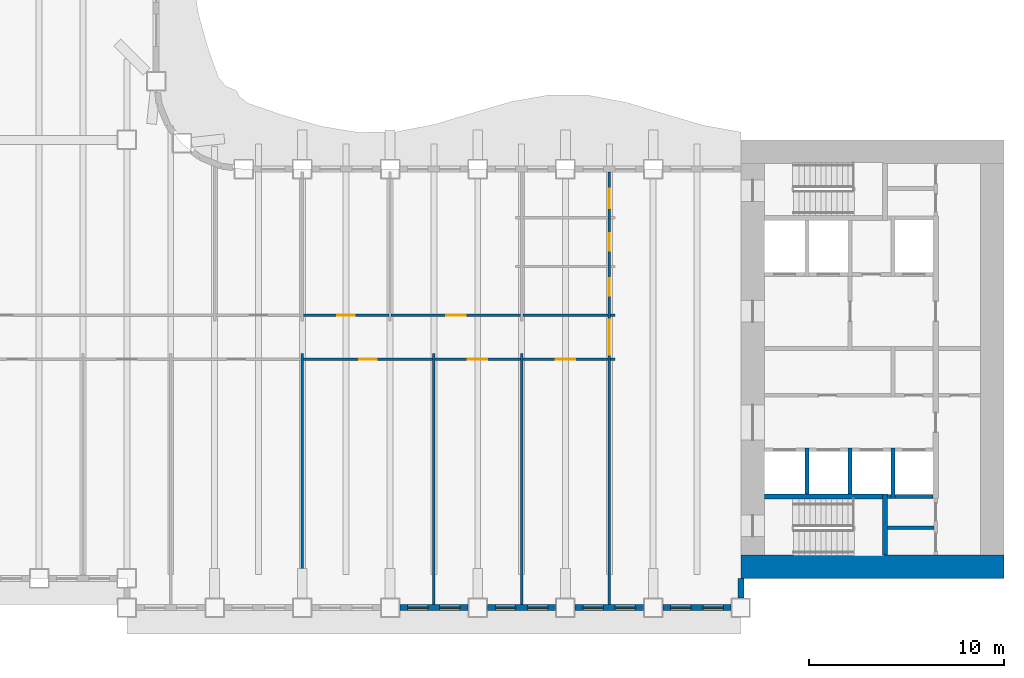
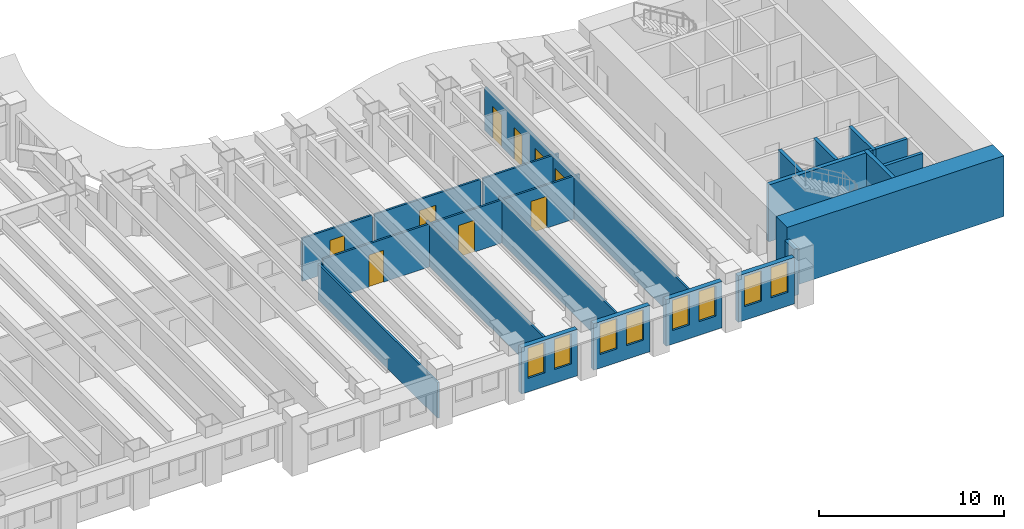
# One storey, part 5 of 16: 26 walls, 9 doors, 8 windows, 17 openings.
"""IFC4 building model written with IfcOpenShell, lengths in metres."""

from ifc_helpers import new_model, si_unit, direction, frame, frame_2d, origin, place, context, subcontext, project, spatial, rectangle, extrude, material, layer, layer_set, type_object, element, fill, save


model = new_model("IFC4")

# Units and contexts
model_context = context("Model", 3, precision=1e-05, world=origin(), true_north=direction((0.0, 1.0)))
body_context = subcontext(model_context, "Body", "Model", "MODEL_VIEW")
ifc_project = project(units=[si_unit("LENGTHUNIT", "METRE"), si_unit("AREAUNIT", "SQUARE_METRE"), si_unit("VOLUMEUNIT", "CUBIC_METRE"), si_unit("PLANEANGLEUNIT", "RADIAN"), si_unit("MASSUNIT", "GRAM", prefix="KILO")], contexts=[model_context])

# Site, building, storey
site_placement = place(None, origin())
site = spatial("IfcSite", under=ifc_project, at=site_placement, CompositionType="ELEMENT")
building_placement = place(site_placement, origin())
building = spatial("IfcBuilding", under=site, at=building_placement, Name="Sennacour Bend Tower", CompositionType="ELEMENT")
storey_placement = place(building_placement, frame((0.0, 0.0, 127.0)))
storey = spatial("IfcBuildingStorey", under=building, at=storey_placement, Name="L29", CompositionType="ELEMENT", Elevation=127.0)

# Walls
ifc_material_1 = material(Name="Concrete C80/95", Category="concrete")
ifc_layer_1 = layer(ifc_material_1, 1.199951171875, Name="Concrete C80/95", Category="concrete")
ifc_layer_set_1 = layer_set([ifc_layer_1], Name="Concrete C80/95")
wall_type_1 = type_object("IfcWallType", Name="Core wall 1200 C80/95", PredefinedType="SHEAR", material=ifc_layer_set_1)
wall_1_placement = place(storey_placement, frame((67.5, 0.60009765625, -0.14990234375), z_axis=(0.0, 0.0, 1.0), x_axis=(-1.0, 0.0, 0.0)))
element("IfcWall", 1, at=wall_1_placement, inside=storey, type_object=wall_type_1, Name="Core A wall L29 S", PredefinedType="SHEAR", context=body_context, shape_type="SweptSolid", body=[
    extrude(rectangle(XDim=13.5, YDim=1.199951171875, at=frame_2d((6.75, 0.0))), origin(), (0.0, 0.0, 1.0), 4.0),
])
ifc_material_2 = material(Name="Plasterboard partition on steel studs", Category="steel")
ifc_layer_2 = layer(ifc_material_2, 0.1201171875, Name="Plasterboard partition on steel studs", Category="steel")
ifc_layer_set_2 = layer_set([ifc_layer_2], Name="Plasterboard partition on steel studs")
wall_type_2 = type_object("IfcWallType", Name="Partition 120", PredefinedType="PARTITIONING", material=ifc_layer_set_2)
wall_2_placement = place(storey_placement, frame((31.5, -1.35009765625, 0.0), z_axis=(0.0, 0.0, 1.0), x_axis=(0.0, 1.0, 0.0)))
element("IfcWall", 2, at=wall_2_placement, inside=storey, type_object=wall_type_2, Name="P-L29-W027a", PredefinedType="PARTITIONING", context=body_context, shape_type="SweptSolid", body=[
    extrude(rectangle(XDim=12.900146484375, YDim=0.1201171875, at=frame_2d((6.4501953125, 0.0))), origin(), (0.0, 0.0, 1.0), 2.35009765625),
])
for number, where, z_axis, x_axis, name in (
    (3, (38.25, -1.35009765625, 0.0), (0.0, 0.0, 1.0), (0.0, 1.0, 0.0), "P-L29-W030a"),
    (4, (42.75, -1.35009765625, 0.0), (0.0, 0.0, 1.0), (0.0, 1.0, 0.0), "P-L29-W031a"),
):
    element("IfcWall", number, at=place(storey_placement, frame(where, z_axis=z_axis, x_axis=x_axis)), inside=storey, type_object=wall_type_2, Name=name, PredefinedType="PARTITIONING", context=body_context, shape_type="SweptSolid", body=[
        extrude(rectangle(XDim=12.900146484375, YDim=0.1201171875, at=frame_2d((6.4501953125, 0.0))), origin(), (0.0, 0.0, 1.0), 2.837890625),
    ])

# Wall, opening, door
wall_3_placement = place(storey_placement, frame((38.31005859375, 11.25, 0.0), z_axis=(0.0, 0.0, 1.0), x_axis=(1.0, 0.0, 0.0)))
wall_3 = element("IfcWall", 5, at=wall_3_placement, inside=storey, type_object=wall_type_2, Name="P-L29-W058af", PredefinedType="PARTITIONING", context=body_context, shape_type="SweptSolid", body=[
    extrude(rectangle(XDim=4.3798828125, YDim=0.1201171875, at=frame_2d((2.18994140625, 0.0))), origin(), (0.0, 0.0, 1.0), 2.837890625),
])
opening_1_placement = place(wall_3_placement, frame((1.68994140625, 0.0, 0.0)))
opening_1 = element("IfcOpeningElement", 6, at=opening_1_placement, cuts=wall_3, Name="Opening MD2", PredefinedType="OPENING", context=body_context, shape_type="SweptSolid", body=[
    extrude(rectangle(XDim=1.0, YDim=2.10009765625, at=frame_2d((0.5, 1.050048828125))), frame((0.0, 0.070068359375, 0.0), z_axis=(0.0, -1.0, 0.0), x_axis=(1.0, 0.0, 0.0)), (0.0, 0.0, 1.0), 0.14013671875),
])
ifc_material_3 = material(Name="Timber", Category="wood")
door_type_1 = type_object("IfcDoorType", Name="DR-MEETING-1000", OperationType="NOTDEFINED", PredefinedType="DOOR", material=ifc_material_3)
door_1_placement = place(opening_1_placement, origin())
door_1 = element("IfcDoor", 7, at=door_1_placement, inside=storey, type_object=door_type_1, Name="Door", OperationType="SINGLE_SWING_LEFT", OverallHeight=2.10009765625, OverallWidth=1.0, PredefinedType="DOOR", context=body_context, shape_type="SweptSolid", body=[
    extrude(rectangle(XDim=1.0, YDim=2.10009765625, at=frame_2d((0.5, 1.050048828125))), frame((0.0, 0.02490234375, 0.0), z_axis=(0.0, -1.0, 0.0), x_axis=(1.0, 0.0, 0.0)), (0.0, 0.0, 1.0), 0.050048828125),
])
fill(opening_1, door_1)

wall_4_placement = place(storey_placement, frame((42.81005859375, 11.25, 0.0), z_axis=(0.0, 0.0, 1.0), x_axis=(1.0, 0.0, 0.0)))
wall_4 = element("IfcWall", 8, at=wall_4_placement, inside=storey, type_object=wall_type_2, Name="P-L29-W058ag", PredefinedType="PARTITIONING", context=body_context, shape_type="SweptSolid", body=[
    extrude(rectangle(XDim=4.3798828125, YDim=0.1201171875, at=frame_2d((2.18994140625, 0.0))), origin(), (0.0, 0.0, 1.0), 2.837890625),
])
opening_2_placement = place(wall_4_placement, frame((1.68994140625, 0.0, 0.0)))
opening_2 = element("IfcOpeningElement", 9, at=opening_2_placement, cuts=wall_4, Name="Opening OD2", PredefinedType="OPENING", context=body_context, shape_type="SweptSolid", body=[
    extrude(rectangle(XDim=1.0, YDim=2.10009765625, at=frame_2d((0.5, 1.050048828125))), frame((0.0, 0.070068359375, 0.0), z_axis=(0.0, -1.0, 0.0), x_axis=(1.0, 0.0, 0.0)), (0.0, 0.0, 1.0), 0.14013671875),
])
door_type_2 = type_object("IfcDoorType", Name="DR-OFFICE-1000", OperationType="NOTDEFINED", PredefinedType="DOOR", material=ifc_material_3)
door_2_placement = place(opening_2_placement, origin())
door_2 = element("IfcDoor", 10, at=door_2_placement, inside=storey, type_object=door_type_2, Name="Door", OperationType="SINGLE_SWING_LEFT", OverallHeight=2.10009765625, OverallWidth=1.0, PredefinedType="DOOR", context=body_context, shape_type="SweptSolid", body=[
    extrude(rectangle(XDim=1.0, YDim=2.10009765625, at=frame_2d((0.5, 1.050048828125))), frame((0.0, 0.02490234375, 0.0), z_axis=(0.0, -1.0, 0.0), x_axis=(1.0, 0.0, 0.0)), (0.0, 0.0, 1.0), 0.050048828125),
])
fill(opening_2, door_2)

# Wall
wall_5_placement = place(storey_placement, frame((47.31005859375, 11.25, 0.0), z_axis=(0.0, 0.0, 1.0), x_axis=(1.0, 0.0, 0.0)))
element("IfcWall", 11, at=wall_5_placement, inside=storey, type_object=wall_type_2, Name="P-L29-W058ah", PredefinedType="PARTITIONING", context=body_context, shape_type="SweptSolid", body=[
    extrude(rectangle(XDim=0.239990234375, YDim=0.1201171875, at=frame_2d((0.1201171875, 0.0))), origin(), (0.0, 0.0, 1.0), 2.837890625),
])

# Wall, opening, door
wall_6_placement = place(storey_placement, frame((36.06005859375, 13.5, 0.0), z_axis=(0.0, 0.0, 1.0), x_axis=(1.0, 0.0, 0.0)))
wall_6 = element("IfcWall", 12, at=wall_6_placement, inside=storey, type_object=wall_type_2, Name="P-L29-W060af", PredefinedType="PARTITIONING", context=body_context, shape_type="SweptSolid", body=[
    extrude(rectangle(XDim=6.6298828125, YDim=0.1201171875, at=frame_2d((3.31494140625, 0.0))), origin(), (0.0, 0.0, 1.0), 2.837890625),
])
opening_3_placement = place(wall_6_placement, frame((2.81494140625, 0.0, 0.0)))
opening_3 = element("IfcOpeningElement", 13, at=opening_3_placement, cuts=wall_6, Name="Opening OD2", PredefinedType="OPENING", context=body_context, shape_type="SweptSolid", body=[
    extrude(rectangle(XDim=1.0, YDim=2.10009765625, at=frame_2d((0.5, 1.050048828125))), frame((0.0, 0.070068359375, 0.0), z_axis=(0.0, -1.0, 0.0), x_axis=(1.0, 0.0, 0.0)), (0.0, 0.0, 1.0), 0.14013671875),
])
door_3_placement = place(opening_3_placement, origin())
door_3 = element("IfcDoor", 14, at=door_3_placement, inside=storey, type_object=door_type_2, Name="Door", OperationType="SINGLE_SWING_LEFT", OverallHeight=2.10009765625, OverallWidth=1.0, PredefinedType="DOOR", context=body_context, shape_type="SweptSolid", body=[
    extrude(rectangle(XDim=1.0, YDim=2.10009765625, at=frame_2d((0.5, 1.050048828125))), frame((0.0, 0.02490234375, 0.0), z_axis=(0.0, -1.0, 0.0), x_axis=(1.0, 0.0, 0.0)), (0.0, 0.0, 1.0), 0.050048828125),
])
fill(opening_3, door_3)

# Walls
wall_7_placement = place(storey_placement, frame((42.81005859375, 13.5, 0.0), z_axis=(0.0, 0.0, 1.0), x_axis=(1.0, 0.0, 0.0)))
element("IfcWall", 15, at=wall_7_placement, inside=storey, type_object=wall_type_2, Name="P-L29-W060ag", PredefinedType="PARTITIONING", context=body_context, shape_type="SweptSolid", body=[
    extrude(rectangle(XDim=4.3798828125, YDim=0.1201171875, at=frame_2d((2.18994140625, 0.0))), origin(), (0.0, 0.0, 1.0), 2.837890625),
])
wall_8_placement = place(storey_placement, frame((47.31005859375, 13.5, 0.0), z_axis=(0.0, 0.0, 1.0), x_axis=(1.0, 0.0, 0.0)))
element("IfcWall", 16, at=wall_8_placement, inside=storey, type_object=wall_type_2, Name="P-L29-W060ah", PredefinedType="PARTITIONING", context=body_context, shape_type="SweptSolid", body=[
    extrude(rectangle(XDim=0.239990234375, YDim=0.1201171875, at=frame_2d((0.1201171875, 0.0))), origin(), (0.0, 0.0, 1.0), 2.837890625),
])

# Wall, openings, doors
ifc_layer_3 = layer(ifc_material_2, 0.1201171875, Name="Plasterboard partition on steel studs", Category="steel")
ifc_layer_set_3 = layer_set([ifc_layer_3], Name="Plasterboard partition on steel studs")
wall_type_3 = type_object("IfcWallType", Name="Partition 120 EI 30", PredefinedType="PARTITIONING", material=ifc_layer_set_3)
wall_9_placement = place(storey_placement, frame((47.25, -1.35009765625, 0.0), z_axis=(0.0, 0.0, 1.0), x_axis=(0.0, 1.0, 0.0)))
wall_9 = element("IfcWall", 17, at=wall_9_placement, inside=storey, type_object=wall_type_3, Name="P-L29-W033a", PredefinedType="PARTITIONING", context=body_context, shape_type="SweptSolid", body=[
    extrude(rectangle(XDim=22.2001953125, YDim=0.1201171875, at=frame_2d((11.10009765625, 0.0))), origin(), (0.0, 0.0, 1.0), 2.837890625),
])
opening_4_placement = place(wall_9_placement, frame((12.8251953125, 0.0, 0.0)))
opening_4 = element("IfcOpeningElement", 18, at=opening_4_placement, cuts=wall_9, Name="Opening KD3", PredefinedType="OPENING", context=body_context, shape_type="SweptSolid", body=[
    extrude(rectangle(XDim=1.800048828125, YDim=2.10009765625, at=frame_2d((0.89990234375, 1.050048828125))), frame((0.0, 0.070068359375, 0.0), z_axis=(0.0, -1.0, 0.0), x_axis=(1.0, 0.0, 0.0)), (0.0, 0.0, 1.0), 0.14013671875),
])
opening_5_placement = place(wall_9_placement, frame((15.85009765625, 0.0, 0.0)))
opening_5 = element("IfcOpeningElement", 19, at=opening_5_placement, cuts=wall_9, Name="Opening WD", PredefinedType="OPENING", context=body_context, shape_type="SweptSolid", body=[
    extrude(rectangle(XDim=0.89990234375, YDim=2.10009765625, at=frame_2d((0.449951171875, 1.050048828125))), frame((0.0, 0.070068359375, 0.0), z_axis=(0.0, -1.0, 0.0), x_axis=(1.0, 0.0, 0.0)), (0.0, 0.0, 1.0), 0.14013671875),
])
opening_6_placement = place(wall_9_placement, frame((18.150146484375, 0.0, 0.0)))
opening_6 = element("IfcOpeningElement", 20, at=opening_6_placement, cuts=wall_9, Name="Opening WD", PredefinedType="OPENING", context=body_context, shape_type="SweptSolid", body=[
    extrude(rectangle(XDim=0.89990234375, YDim=2.10009765625, at=frame_2d((0.449951171875, 1.050048828125))), frame((0.0, 0.070068359375, 0.0), z_axis=(0.0, -1.0, 0.0), x_axis=(1.0, 0.0, 0.0)), (0.0, 0.0, 1.0), 0.14013671875),
])
opening_7_placement = place(wall_9_placement, frame((20.35009765625, 0.0, 0.0)))
opening_7 = element("IfcOpeningElement", 21, at=opening_7_placement, cuts=wall_9, Name="Opening AD", PredefinedType="OPENING", context=body_context, shape_type="SweptSolid", body=[
    extrude(rectangle(XDim=1.0, YDim=2.10009765625, at=frame_2d((0.5, 1.050048828125))), frame((0.0, 0.070068359375, 0.0), z_axis=(0.0, -1.0, 0.0), x_axis=(1.0, 0.0, 0.0)), (0.0, 0.0, 1.0), 0.14013671875),
])
door_type_3 = type_object("IfcDoorType", Name="DR-ACC-WC-1000", OperationType="NOTDEFINED", PredefinedType="DOOR", material=ifc_material_3)
door_4_placement = place(opening_7_placement, origin())
door_4 = element("IfcDoor", 22, at=door_4_placement, inside=storey, type_object=door_type_3, Name="Door", OperationType="SINGLE_SWING_RIGHT", OverallHeight=2.10009765625, OverallWidth=1.0, PredefinedType="DOOR", context=body_context, shape_type="SweptSolid", body=[
    extrude(rectangle(XDim=1.0, YDim=2.10009765625, at=frame_2d((0.5, 1.050048828125))), frame((0.0, 0.02490234375, 0.0), z_axis=(0.0, -1.0, 0.0), x_axis=(1.0, 0.0, 0.0)), (0.0, 0.0, 1.0), 0.050048828125),
])
fill(opening_7, door_4)
ifc_material_4 = material(Name="Painted steel", Category="steel")
door_type_4 = type_object("IfcDoorType", Name="DR-CORRIDOR-1800", OperationType="NOTDEFINED", PredefinedType="DOOR", material=ifc_material_4)
door_5_placement = place(opening_4_placement, origin())
door_5 = element("IfcDoor", 23, at=door_5_placement, inside=storey, type_object=door_type_4, Name="Door", OperationType="DOUBLE_DOOR_SINGLE_SWING", OverallHeight=2.10009765625, OverallWidth=1.800048828125, PredefinedType="DOOR", context=body_context, shape_type="SweptSolid", body=[
    extrude(rectangle(XDim=1.800048828125, YDim=2.10009765625, at=frame_2d((0.89990234375, 1.050048828125))), frame((0.0, 0.02490234375, 0.0), z_axis=(0.0, -1.0, 0.0), x_axis=(1.0, 0.0, 0.0)), (0.0, 0.0, 1.0), 0.050048828125),
])
fill(opening_4, door_5)
door_type_5 = type_object("IfcDoorType", Name="DR-WC-900", OperationType="NOTDEFINED", PredefinedType="DOOR", material=ifc_material_3)
door_6_placement = place(opening_5_placement, origin())
door_6 = element("IfcDoor", 24, at=door_6_placement, inside=storey, type_object=door_type_5, Name="Door", OperationType="SINGLE_SWING_RIGHT", OverallHeight=2.10009765625, OverallWidth=0.89990234375, PredefinedType="DOOR", context=body_context, shape_type="SweptSolid", body=[
    extrude(rectangle(XDim=0.89990234375, YDim=2.10009765625, at=frame_2d((0.449951171875, 1.050048828125))), frame((0.0, 0.02490234375, 0.0), z_axis=(0.0, -1.0, 0.0), x_axis=(1.0, 0.0, 0.0)), (0.0, 0.0, 1.0), 0.050048828125),
])
fill(opening_5, door_6)
door_7_placement = place(opening_6_placement, origin())
door_7 = element("IfcDoor", 25, at=door_7_placement, inside=storey, type_object=door_type_5, Name="Door", OperationType="SINGLE_SWING_RIGHT", OverallHeight=2.10009765625, OverallWidth=0.89990234375, PredefinedType="DOOR", context=body_context, shape_type="SweptSolid", body=[
    extrude(rectangle(XDim=0.89990234375, YDim=2.10009765625, at=frame_2d((0.449951171875, 1.050048828125))), frame((0.0, 0.02490234375, 0.0), z_axis=(0.0, -1.0, 0.0), x_axis=(1.0, 0.0, 0.0)), (0.0, 0.0, 1.0), 0.050048828125),
])
fill(opening_6, door_7)

# Wall, opening, door
ifc_layer_4 = layer(ifc_material_2, 0.1201171875, Name="Plasterboard partition on steel studs", Category="steel")
ifc_layer_set_4 = layer_set([ifc_layer_4], Name="Plasterboard partition on steel studs")
wall_type_4 = type_object("IfcWallType", Name="Partition 120 EI 60", PredefinedType="PARTITIONING", material=ifc_layer_set_4)
wall_10_placement = place(storey_placement, frame((31.56005859375, 11.25, 0.0), z_axis=(0.0, 0.0, 1.0), x_axis=(1.0, 0.0, 0.0)))
wall_10 = element("IfcWall", 26, at=wall_10_placement, inside=storey, type_object=wall_type_4, Name="P-L29-W058ae", PredefinedType="PARTITIONING", context=body_context, shape_type="SweptSolid", body=[
    extrude(rectangle(XDim=6.6298828125, YDim=0.1201171875, at=frame_2d((3.31494140625, 0.0))), origin(), (0.0, 0.0, 1.0), 2.837890625),
])
opening_8_placement = place(wall_10_placement, frame((2.864990234375, 0.0, 0.0)))
opening_8 = element("IfcOpeningElement", 27, at=opening_8_placement, cuts=wall_10, Name="Opening SV", PredefinedType="OPENING", context=body_context, shape_type="SweptSolid", body=[
    extrude(rectangle(XDim=0.89990234375, YDim=2.10009765625, at=frame_2d((0.449951171875, 1.050048828125))), frame((0.0, 0.070068359375, 0.0), z_axis=(0.0, -1.0, 0.0), x_axis=(1.0, 0.0, 0.0)), (0.0, 0.0, 1.0), 0.14013671875),
])
door_type_6 = type_object("IfcDoorType", Name="DR-SERVICE-900", OperationType="NOTDEFINED", PredefinedType="DOOR", material=ifc_material_4)
door_8_placement = place(opening_8_placement, origin())
door_8 = element("IfcDoor", 28, at=door_8_placement, inside=storey, type_object=door_type_6, Name="Door", OperationType="SINGLE_SWING_LEFT", OverallHeight=2.10009765625, OverallWidth=0.89990234375, PredefinedType="DOOR", context=body_context, shape_type="SweptSolid", body=[
    extrude(rectangle(XDim=0.89990234375, YDim=2.10009765625, at=frame_2d((0.449951171875, 1.050048828125))), frame((0.0, 0.02490234375, 0.0), z_axis=(0.0, -1.0, 0.0), x_axis=(1.0, 0.0, 0.0)), (0.0, 0.0, 1.0), 0.050048828125),
])
fill(opening_8, door_8)

wall_11_placement = place(storey_placement, frame((31.56005859375, 13.5, 0.0), z_axis=(0.0, 0.0, 1.0), x_axis=(1.0, 0.0, 0.0)))
wall_11 = element("IfcWall", 29, at=wall_11_placement, inside=storey, type_object=wall_type_4, Name="P-L29-W060ae", PredefinedType="PARTITIONING", context=body_context, shape_type="SweptSolid", body=[
    extrude(rectangle(XDim=4.3798828125, YDim=0.1201171875, at=frame_2d((2.18994140625, 0.0))), origin(), (0.0, 0.0, 1.0), 2.837890625),
])
opening_9_placement = place(wall_11_placement, frame((1.739990234375, 0.0, 0.0)))
opening_9 = element("IfcOpeningElement", 30, at=opening_9_placement, cuts=wall_11, Name="Opening SV", PredefinedType="OPENING", context=body_context, shape_type="SweptSolid", body=[
    extrude(rectangle(XDim=0.89990234375, YDim=2.10009765625, at=frame_2d((0.449951171875, 1.050048828125))), frame((0.0, 0.070068359375, 0.0), z_axis=(0.0, -1.0, 0.0), x_axis=(1.0, 0.0, 0.0)), (0.0, 0.0, 1.0), 0.14013671875),
])
door_9_placement = place(opening_9_placement, origin())
door_9 = element("IfcDoor", 31, at=door_9_placement, inside=storey, type_object=door_type_6, Name="Door", OperationType="SINGLE_SWING_LEFT", OverallHeight=2.10009765625, OverallWidth=0.89990234375, PredefinedType="DOOR", context=body_context, shape_type="SweptSolid", body=[
    extrude(rectangle(XDim=0.89990234375, YDim=2.10009765625, at=frame_2d((0.449951171875, 1.050048828125))), frame((0.0, 0.02490234375, 0.0), z_axis=(0.0, -1.0, 0.0), x_axis=(1.0, 0.0, 0.0)), (0.0, 0.0, 1.0), 0.050048828125),
])
fill(opening_9, door_9)

# Wall
ifc_material_5 = material(Name="Fire-rated plasterboard partition on steel studs", Category="steel")
ifc_layer_5 = layer(ifc_material_5, 0.199951171875, Name="Fire-rated plasterboard partition on steel studs", Category="steel")
ifc_layer_set_5 = layer_set([ifc_layer_5], Name="Fire-rated plasterboard partition on steel studs")
wall_type_5 = type_object("IfcWallType", Name="Rated partition 200", PredefinedType="PARTITIONING", material=ifc_layer_set_5)
wall_12_placement = place(storey_placement, frame((61.52490234375, 2.60009765625, 0.0), z_axis=(0.0, 0.0, 1.0), x_axis=(1.0, 0.0, 0.0)))
element("IfcWall", 32, at=wall_12_placement, inside=storey, type_object=wall_type_5, Name="P-L29-W050", PredefinedType="PARTITIONING", context=body_context, shape_type="SweptSolid", body=[
    extrude(rectangle(XDim=2.375, YDim=0.199951171875, at=frame_2d((1.1875, 0.0))), origin(), (0.0, 0.0, 1.0), 3.75),
])

# Wall, openings, windows
ifc_material_6 = material(Name="Warm limestone cladding", Category="masonry")
ifc_layer_6 = layer(ifc_material_6, 0.050048828125, Name="Warm limestone cladding", Category="masonry")
ifc_material_7 = material(Name="Precast concrete C40/50", Category="concrete")
ifc_layer_7 = layer(ifc_material_7, 0.25, Name="Precast concrete C40/50", Category="concrete")
ifc_layer_set_6 = layer_set([ifc_layer_6, ifc_layer_7], Name="Precast concrete C40/50 with limestone cladding")
wall_type_6 = type_object("IfcWallType", Name="STONE-CLAD PRECAST SPANDREL 300", PredefinedType="STANDARD", material=ifc_layer_set_6)
wall_13_placement = place(storey_placement, frame((36.5, -1.5, 0.0), z_axis=(0.0, 0.0, 1.0), x_axis=(1.0, 0.0, 0.0)))
wall_13 = element("IfcWall", 33, at=wall_13_placement, inside=storey, type_object=wall_type_6, Name="Stone spandrel and pier wall L29 00.03", PredefinedType="STANDARD", context=body_context, shape_type="SweptSolid", body=[
    extrude(rectangle(XDim=3.5, YDim=0.300048828125, at=frame_2d((1.75, 0.0))), origin(), (0.0, 0.0, 1.0), 3.053955078125),
])
opening_10_placement = place(wall_13_placement, frame((0.39990234375, 0.0, 0.89990234375)))
opening_10 = element("IfcOpeningElement", 34, at=opening_10_placement, cuts=wall_13, Name="Opening W13", PredefinedType="OPENING", context=body_context, shape_type="SweptSolid", body=[
    extrude(rectangle(XDim=1.050048828125, YDim=2.0, at=frame_2d((0.52490234375, 1.0))), frame((0.0, 0.16015625, 0.0), z_axis=(0.0, -1.0, 0.0), x_axis=(1.0, 0.0, 0.0)), (0.0, 0.0, 1.0), 0.320068359375),
])
opening_11_placement = place(wall_13_placement, frame((2.050048828125, 0.0, 0.89990234375)))
opening_11 = element("IfcOpeningElement", 35, at=opening_11_placement, cuts=wall_13, Name="Opening W13", PredefinedType="OPENING", context=body_context, shape_type="SweptSolid", body=[
    extrude(rectangle(XDim=1.050048828125, YDim=2.0, at=frame_2d((0.52490234375, 1.0))), frame((0.0, 0.16015625, 0.0), z_axis=(0.0, -1.0, 0.0), x_axis=(1.0, 0.0, 0.0)), (0.0, 0.0, 1.0), 0.320068359375),
])
ifc_material_8 = material(Name="Clear low-emissivity glass", Category="glass")
window_type = type_object("IfcWindowType", Name="WIN-RIBBON-1050x2000", PartitioningType="SINGLE_PANEL", PredefinedType="WINDOW", material=ifc_material_8)
window_1_placement = place(opening_10_placement, origin())
window_1 = element("IfcWindow", 36, at=window_1_placement, inside=storey, type_object=window_type, Name="Ribbon window L29 00.03.0", OverallHeight=2.0, OverallWidth=1.050048828125, PartitioningType="SINGLE_PANEL", PredefinedType="WINDOW", context=body_context, shape_type="SweptSolid", body=[
    extrude(rectangle(XDim=1.050048828125, YDim=2.0, at=frame_2d((0.52490234375, 1.0))), frame((0.0, 0.030029296875, 0.0), z_axis=(0.0, -1.0, 0.0), x_axis=(1.0, 0.0, 0.0)), (0.0, 0.0, 1.0), 0.06005859375),
])
fill(opening_10, window_1)
window_2_placement = place(opening_11_placement, origin())
window_2 = element("IfcWindow", 37, at=window_2_placement, inside=storey, type_object=window_type, Name="Ribbon window L29 00.03.1", OverallHeight=2.0, OverallWidth=1.050048828125, PartitioningType="SINGLE_PANEL", PredefinedType="WINDOW", context=body_context, shape_type="SweptSolid", body=[
    extrude(rectangle(XDim=1.050048828125, YDim=2.0, at=frame_2d((0.52490234375, 1.0))), frame((0.0, 0.030029296875, 0.0), z_axis=(0.0, -1.0, 0.0), x_axis=(1.0, 0.0, 0.0)), (0.0, 0.0, 1.0), 0.06005859375),
])
fill(opening_11, window_2)

wall_14_placement = place(storey_placement, frame((41.0, -1.5, 0.0), z_axis=(0.0, 0.0, 1.0), x_axis=(1.0, 0.0, 0.0)))
wall_14 = element("IfcWall", 38, at=wall_14_placement, inside=storey, type_object=wall_type_6, Name="Stone spandrel and pier wall L29 00.04", PredefinedType="STANDARD", context=body_context, shape_type="SweptSolid", body=[
    extrude(rectangle(XDim=3.5, YDim=0.300048828125, at=frame_2d((1.75, 0.0))), origin(), (0.0, 0.0, 1.0), 3.053955078125),
])
opening_12_placement = place(wall_14_placement, frame((0.39990234375, 0.0, 0.89990234375)))
opening_12 = element("IfcOpeningElement", 39, at=opening_12_placement, cuts=wall_14, Name="Opening W13", PredefinedType="OPENING", context=body_context, shape_type="SweptSolid", body=[
    extrude(rectangle(XDim=1.050048828125, YDim=2.0, at=frame_2d((0.52490234375, 1.0))), frame((0.0, 0.16015625, 0.0), z_axis=(0.0, -1.0, 0.0), x_axis=(1.0, 0.0, 0.0)), (0.0, 0.0, 1.0), 0.320068359375),
])
opening_13_placement = place(wall_14_placement, frame((2.050048828125, 0.0, 0.89990234375)))
opening_13 = element("IfcOpeningElement", 40, at=opening_13_placement, cuts=wall_14, Name="Opening W13", PredefinedType="OPENING", context=body_context, shape_type="SweptSolid", body=[
    extrude(rectangle(XDim=1.050048828125, YDim=2.0, at=frame_2d((0.52490234375, 1.0))), frame((0.0, 0.16015625, 0.0), z_axis=(0.0, -1.0, 0.0), x_axis=(1.0, 0.0, 0.0)), (0.0, 0.0, 1.0), 0.320068359375),
])
window_3_placement = place(opening_12_placement, origin())
window_3 = element("IfcWindow", 41, at=window_3_placement, inside=storey, type_object=window_type, Name="Ribbon window L29 00.04.0", OverallHeight=2.0, OverallWidth=1.050048828125, PartitioningType="SINGLE_PANEL", PredefinedType="WINDOW", context=body_context, shape_type="SweptSolid", body=[
    extrude(rectangle(XDim=1.050048828125, YDim=2.0, at=frame_2d((0.52490234375, 1.0))), frame((0.0, 0.030029296875, 0.0), z_axis=(0.0, -1.0, 0.0), x_axis=(1.0, 0.0, 0.0)), (0.0, 0.0, 1.0), 0.06005859375),
])
fill(opening_12, window_3)
window_4_placement = place(opening_13_placement, origin())
window_4 = element("IfcWindow", 42, at=window_4_placement, inside=storey, type_object=window_type, Name="Ribbon window L29 00.04.1", OverallHeight=2.0, OverallWidth=1.050048828125, PartitioningType="SINGLE_PANEL", PredefinedType="WINDOW", context=body_context, shape_type="SweptSolid", body=[
    extrude(rectangle(XDim=1.050048828125, YDim=2.0, at=frame_2d((0.52490234375, 1.0))), frame((0.0, 0.030029296875, 0.0), z_axis=(0.0, -1.0, 0.0), x_axis=(1.0, 0.0, 0.0)), (0.0, 0.0, 1.0), 0.06005859375),
])
fill(opening_13, window_4)

wall_15_placement = place(storey_placement, frame((45.5, -1.5, 0.0), z_axis=(0.0, 0.0, 1.0), x_axis=(1.0, 0.0, 0.0)))
wall_15 = element("IfcWall", 43, at=wall_15_placement, inside=storey, type_object=wall_type_6, Name="Stone spandrel and pier wall L29 00.05", PredefinedType="STANDARD", context=body_context, shape_type="SweptSolid", body=[
    extrude(rectangle(XDim=3.5, YDim=0.300048828125, at=frame_2d((1.75, 0.0))), origin(), (0.0, 0.0, 1.0), 3.053955078125),
])
opening_14_placement = place(wall_15_placement, frame((0.39990234375, 0.0, 0.89990234375)))
opening_14 = element("IfcOpeningElement", 44, at=opening_14_placement, cuts=wall_15, Name="Opening W13", PredefinedType="OPENING", context=body_context, shape_type="SweptSolid", body=[
    extrude(rectangle(XDim=1.050048828125, YDim=2.0, at=frame_2d((0.52490234375, 1.0))), frame((0.0, 0.16015625, 0.0), z_axis=(0.0, -1.0, 0.0), x_axis=(1.0, 0.0, 0.0)), (0.0, 0.0, 1.0), 0.320068359375),
])
opening_15_placement = place(wall_15_placement, frame((2.050048828125, 0.0, 0.89990234375)))
opening_15 = element("IfcOpeningElement", 45, at=opening_15_placement, cuts=wall_15, Name="Opening W13", PredefinedType="OPENING", context=body_context, shape_type="SweptSolid", body=[
    extrude(rectangle(XDim=1.050048828125, YDim=2.0, at=frame_2d((0.52490234375, 1.0))), frame((0.0, 0.16015625, 0.0), z_axis=(0.0, -1.0, 0.0), x_axis=(1.0, 0.0, 0.0)), (0.0, 0.0, 1.0), 0.320068359375),
])
window_5_placement = place(opening_14_placement, origin())
window_5 = element("IfcWindow", 46, at=window_5_placement, inside=storey, type_object=window_type, Name="Ribbon window L29 00.05.0", OverallHeight=2.0, OverallWidth=1.050048828125, PartitioningType="SINGLE_PANEL", PredefinedType="WINDOW", context=body_context, shape_type="SweptSolid", body=[
    extrude(rectangle(XDim=1.050048828125, YDim=2.0, at=frame_2d((0.52490234375, 1.0))), frame((0.0, 0.030029296875, 0.0), z_axis=(0.0, -1.0, 0.0), x_axis=(1.0, 0.0, 0.0)), (0.0, 0.0, 1.0), 0.06005859375),
])
fill(opening_14, window_5)
window_6_placement = place(opening_15_placement, origin())
window_6 = element("IfcWindow", 47, at=window_6_placement, inside=storey, type_object=window_type, Name="Ribbon window L29 00.05.1", OverallHeight=2.0, OverallWidth=1.050048828125, PartitioningType="SINGLE_PANEL", PredefinedType="WINDOW", context=body_context, shape_type="SweptSolid", body=[
    extrude(rectangle(XDim=1.050048828125, YDim=2.0, at=frame_2d((0.52490234375, 1.0))), frame((0.0, 0.030029296875, 0.0), z_axis=(0.0, -1.0, 0.0), x_axis=(1.0, 0.0, 0.0)), (0.0, 0.0, 1.0), 0.06005859375),
])
fill(opening_15, window_6)

wall_16_placement = place(storey_placement, frame((50.0, -1.5, 0.0), z_axis=(0.0, 0.0, 1.0), x_axis=(1.0, 0.0, 0.0)))
wall_16 = element("IfcWall", 48, at=wall_16_placement, inside=storey, type_object=wall_type_6, Name="Stone spandrel and pier wall L29 00.06", PredefinedType="STANDARD", context=body_context, shape_type="SweptSolid", body=[
    extrude(rectangle(XDim=3.5, YDim=0.300048828125, at=frame_2d((1.75, 0.0))), origin(), (0.0, 0.0, 1.0), 3.053955078125),
])
opening_16_placement = place(wall_16_placement, frame((0.39990234375, 0.0, 0.89990234375)))
opening_16 = element("IfcOpeningElement", 49, at=opening_16_placement, cuts=wall_16, Name="Opening W13", PredefinedType="OPENING", context=body_context, shape_type="SweptSolid", body=[
    extrude(rectangle(XDim=1.050048828125, YDim=2.0, at=frame_2d((0.52490234375, 1.0))), frame((0.0, 0.16015625, 0.0), z_axis=(0.0, -1.0, 0.0), x_axis=(1.0, 0.0, 0.0)), (0.0, 0.0, 1.0), 0.320068359375),
])
opening_17_placement = place(wall_16_placement, frame((2.050048828125, 0.0, 0.89990234375)))
opening_17 = element("IfcOpeningElement", 50, at=opening_17_placement, cuts=wall_16, Name="Opening W13", PredefinedType="OPENING", context=body_context, shape_type="SweptSolid", body=[
    extrude(rectangle(XDim=1.050048828125, YDim=2.0, at=frame_2d((0.52490234375, 1.0))), frame((0.0, 0.16015625, 0.0), z_axis=(0.0, -1.0, 0.0), x_axis=(1.0, 0.0, 0.0)), (0.0, 0.0, 1.0), 0.320068359375),
])
window_7_placement = place(opening_16_placement, origin())
window_7 = element("IfcWindow", 51, at=window_7_placement, inside=storey, type_object=window_type, Name="Ribbon window L29 00.06.0", OverallHeight=2.0, OverallWidth=1.050048828125, PartitioningType="SINGLE_PANEL", PredefinedType="WINDOW", context=body_context, shape_type="SweptSolid", body=[
    extrude(rectangle(XDim=1.050048828125, YDim=2.0, at=frame_2d((0.52490234375, 1.0))), frame((0.0, 0.030029296875, 0.0), z_axis=(0.0, -1.0, 0.0), x_axis=(1.0, 0.0, 0.0)), (0.0, 0.0, 1.0), 0.06005859375),
])
fill(opening_16, window_7)
window_8_placement = place(opening_17_placement, origin())
window_8 = element("IfcWindow", 52, at=window_8_placement, inside=storey, type_object=window_type, Name="Ribbon window L29 00.06.1", OverallHeight=2.0, OverallWidth=1.050048828125, PartitioningType="SINGLE_PANEL", PredefinedType="WINDOW", context=body_context, shape_type="SweptSolid", body=[
    extrude(rectangle(XDim=1.050048828125, YDim=2.0, at=frame_2d((0.52490234375, 1.0))), frame((0.0, 0.030029296875, 0.0), z_axis=(0.0, -1.0, 0.0), x_axis=(1.0, 0.0, 0.0)), (0.0, 0.0, 1.0), 0.06005859375),
])
fill(opening_17, window_8)

# Walls
wall_17_placement = place(storey_placement, frame((54.0, -1.0, 0.0), z_axis=(0.0, 0.0, 1.0), x_axis=(0.0, 1.0, 0.0)))
element("IfcWall", 53, at=wall_17_placement, inside=storey, type_object=wall_type_6, Name="Stone spandrel and pier wall L29 01.00", PredefinedType="STANDARD", context=body_context, shape_type="SweptSolid", body=[
    extrude(rectangle(XDim=1.0, YDim=0.300048828125, at=frame_2d((0.5, 0.0))), origin(), (0.0, 0.0, 1.0), 3.053955078125),
])
ifc_material_9 = material(Name="Concrete C50/60", Category="concrete")
ifc_layer_8 = layer(ifc_material_9, 0.199951171875, Name="Concrete C50/60", Category="concrete")
ifc_layer_set_7 = layer_set([ifc_layer_8], Name="Concrete C50/60")
wall_type_7 = type_object("IfcWallType", Name="Shaft wall 200", PredefinedType="SOLIDWALL", material=ifc_layer_set_7)
for number, where, z_axis, x_axis, name in (
    (54, (57.39990234375, 4.324951171875, 0.0), (0.0, 0.0, 1.0), (0.0, 1.0, 0.0), "P-L29-W035"),
    (55, (59.60009765625, 4.324951171875, 0.0), (0.0, 0.0, 1.0), (0.0, 1.0, 0.0), "P-L29-W037"),
):
    element("IfcWall", number, at=place(storey_placement, frame(where, z_axis=z_axis, x_axis=x_axis)), inside=storey, type_object=wall_type_7, Name=name, PredefinedType="SOLIDWALL", context=body_context, shape_type="SweptSolid", body=[
        extrude(rectangle(XDim=2.375, YDim=0.199951171875, at=frame_2d((1.1875, 0.0))), origin(), (0.0, 0.0, 1.0), 3.75),
    ])
wall_18_placement = place(storey_placement, frame((61.800048828125, 4.10009765625, 0.0), z_axis=(0.0, 0.0, 1.0), x_axis=(0.0, 1.0, 0.0)))
element("IfcWall", 56, at=wall_18_placement, inside=storey, type_object=wall_type_7, Name="P-L29-W042", PredefinedType="SOLIDWALL", context=body_context, shape_type="SweptSolid", body=[
    extrude(rectangle(XDim=2.599853515625, YDim=0.199951171875, at=frame_2d((1.2998046875, 0.0))), origin(), (0.0, 0.0, 1.0), 3.75),
])
wall_19_placement = place(storey_placement, frame((61.52490234375, 4.199951171875, 0.0), z_axis=(0.0, 0.0, 1.0), x_axis=(1.0, 0.0, 0.0)))
element("IfcWall", 57, at=wall_19_placement, inside=storey, type_object=wall_type_7, Name="P-L29-W055a", PredefinedType="SOLIDWALL", context=body_context, shape_type="SweptSolid", body=[
    extrude(rectangle(XDim=0.175048828125, YDim=0.199951171875, at=frame_2d((0.08740234375, 0.0))), origin(), (0.0, 0.0, 1.0), 3.75),
])
wall_20_placement = place(storey_placement, frame((61.89990234375, 4.199951171875, 0.0), z_axis=(0.0, 0.0, 1.0), x_axis=(1.0, 0.0, 0.0)))
element("IfcWall", 58, at=wall_20_placement, inside=storey, type_object=wall_type_7, Name="P-L29-W055b", PredefinedType="SOLIDWALL", context=body_context, shape_type="SweptSolid", body=[
    extrude(rectangle(XDim=1.9501953125, YDim=0.199951171875, at=frame_2d((0.97509765625, 0.0))), origin(), (0.0, 0.0, 1.0), 3.75),
])
ifc_material_10 = material(Name="Concrete C60/75", Category="concrete")
ifc_layer_9 = layer(ifc_material_10, 0.25, Name="Concrete C60/75", Category="concrete")
ifc_layer_set_8 = layer_set([ifc_layer_9], Name="Concrete C60/75")
wall_type_8 = type_object("IfcWallType", Name="Stair wall 250", PredefinedType="SHEAR", material=ifc_layer_set_8)
wall_21_placement = place(storey_placement, frame((61.39990234375, 1.199951171875, 0.0), z_axis=(0.0, 0.0, 1.0), x_axis=(0.0, 1.0, 0.0)))
element("IfcWall", 59, at=wall_21_placement, inside=storey, type_object=wall_type_8, Name="P-L29-W040", PredefinedType="SHEAR", context=body_context, shape_type="SweptSolid", body=[
    extrude(rectangle(XDim=3.125, YDim=0.25, at=frame_2d((1.5625, 0.0))), origin(), (0.0, 0.0, 1.0), 3.75),
])
wall_22_placement = place(storey_placement, frame((55.199951171875, 4.199951171875, 0.0), z_axis=(0.0, 0.0, 1.0), x_axis=(1.0, 0.0, 0.0)))
element("IfcWall", 60, at=wall_22_placement, inside=storey, type_object=wall_type_8, Name="P-L29-W054", PredefinedType="SHEAR", context=body_context, shape_type="SweptSolid", body=[
    extrude(rectangle(XDim=6.074951171875, YDim=0.25, at=frame_2d((3.03759765625, 0.0))), origin(), (0.0, 0.0, 1.0), 3.75),
])

save(model, "model.ifc")
